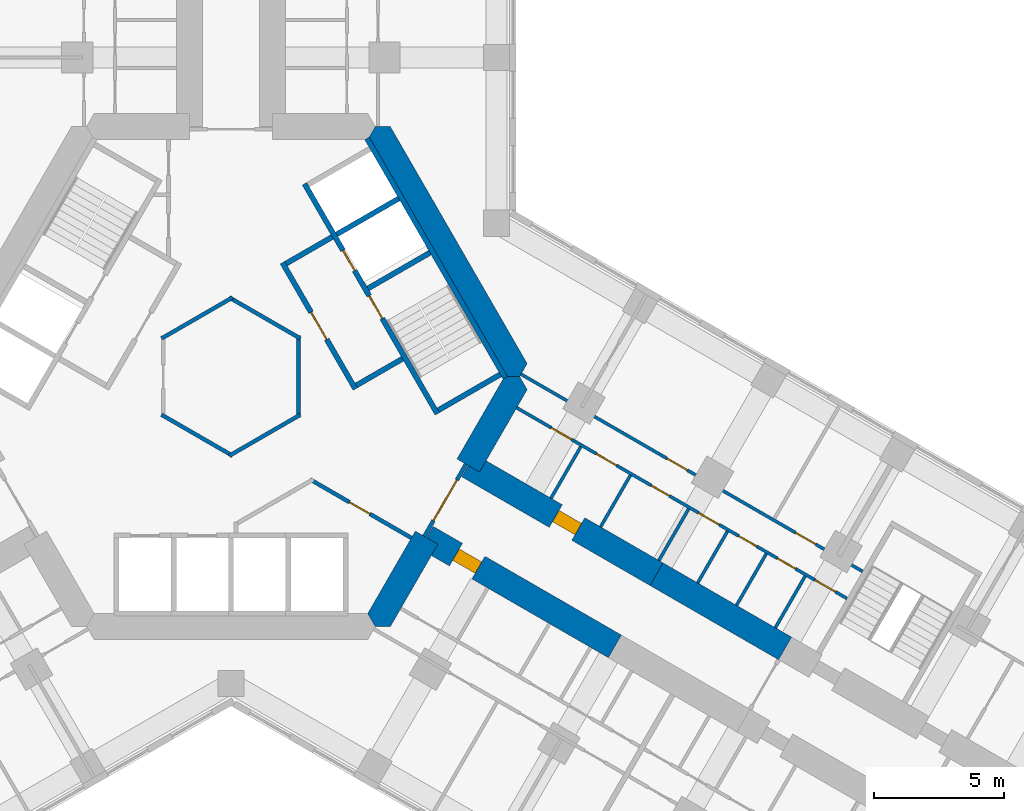
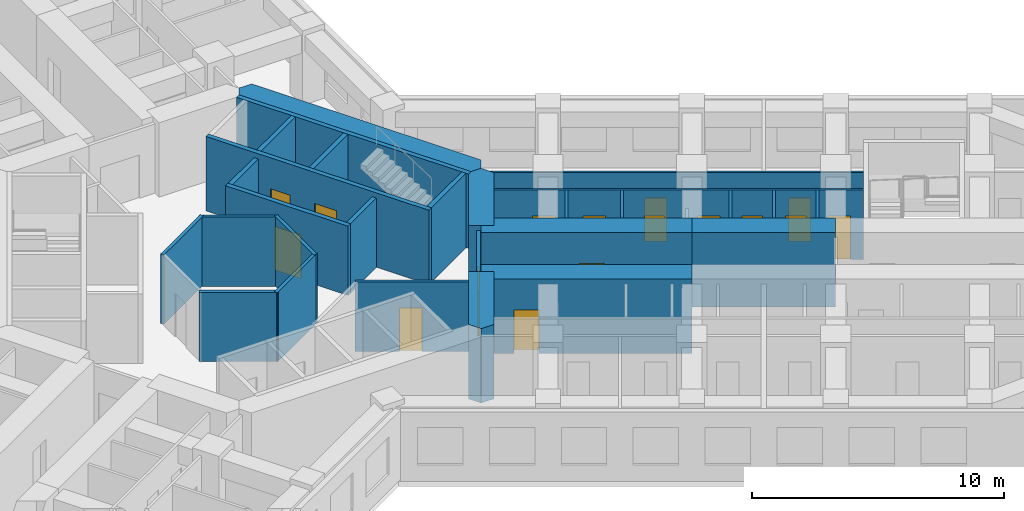
# One storey, part 15 of 21: 29 walls, 16 doors, 16 openings.
"""IFC4 building model written with IfcOpenShell, lengths in metres."""

from ifc_helpers import new_model, si_unit, direction, frame, frame_2d, origin, place, context, subcontext, project, spatial, polyline, rectangle, outline, extrude, material, layer, layer_set, type_object, element, fill, save


model = new_model("IFC4")

# Units and contexts
model_context = context("Model", 3, precision=1e-05, world=origin(), true_north=direction((0.0, 1.0)))
body_context = subcontext(model_context, "Body", "Model", "MODEL_VIEW")
ifc_project = project(units=[si_unit("LENGTHUNIT", "METRE"), si_unit("AREAUNIT", "SQUARE_METRE"), si_unit("VOLUMEUNIT", "CUBIC_METRE"), si_unit("PLANEANGLEUNIT", "RADIAN"), si_unit("MASSUNIT", "GRAM", prefix="KILO")], contexts=[model_context])

# Site, building, storey
site_placement = place(None, origin())
site = spatial("IfcSite", under=ifc_project, at=site_placement, CompositionType="ELEMENT")
building_placement = place(site_placement, origin())
building = spatial("IfcBuilding", under=site, at=building_placement, Name="Kosmar Iwan School Tower", CompositionType="ELEMENT")
storey_placement = place(building_placement, frame((0.0, 0.0, 50.199951171875)))
storey = spatial("IfcBuildingStorey", under=building, at=storey_placement, Name="L11", CompositionType="ELEMENT", Elevation=50.199951171875)

# Walls
ifc_material_1 = material(Name="Gypsum board on steel studs, fire-rated", Category="steel")
ifc_layer_1 = layer(ifc_material_1, 0.14990234375)
ifc_layer_set_1 = layer_set([ifc_layer_1], Name="Core room partition 150")
wall_type_1 = type_object("IfcWallType", Name="Core room partition 150", PredefinedType="PARTITIONING", material=ifc_layer_set_1)
for number, where, z_axis, x_axis, name in (
    (1, (2.6650390625, -1.463623046875, 0.0), (0.0, 0.0, 1.0), (-0.866023080072, -0.500004024767, 0.0), "Core room partition L11-CW4"),
    (2, (0.06494140625, -3.039794921875, 0.0), (0.0, 0.0, 1.0), (-0.866023080072, 0.500004024767, 0.0), "Core room partition L11-CW5"),
    (3, (-2.6650390625, 1.463623046875, 0.0), (0.0, 0.0, 1.0), (0.866023080072, 0.500004024767, 0.0), "Core room partition L11-CW7"),
    (4, (-0.06494140625, 3.039794921875, 0.0), (0.0, 0.0, 1.0), (0.866023080072, -0.500004024767, 0.0), "Core room partition L11-CW8"),
    (5, (2.60009765625, 1.576171875, 0.0), (0.0, 0.0, 1.0), (0.0, -1.0, 0.0), "Core room partition L11-CW9"),
):
    element("IfcWall", number, at=place(storey_placement, frame(where, z_axis=z_axis, x_axis=x_axis)), inside=storey, type_object=wall_type_1, Name=name, PredefinedType="PARTITIONING", context=body_context, shape_type="SweptSolid", body=[
        extrude(rectangle(XDim=3.15234375, YDim=0.14990234375, at=frame_2d((1.576171875, 0.0))), origin(), (0.0, 0.0, 1.0), 3.35009765625),
    ])

# Wall, opening, door
wall_1_placement = place(storey_placement, frame((3.03515625, -3.9462890625, 0.0), z_axis=(0.0, 0.0, 1.0), x_axis=(0.866020192391, -0.500009026289, 0.0)))
wall_1 = element("IfcWall", 6, at=wall_1_placement, inside=storey, type_object=wall_type_1, Name="Core room partition L11-CW12", PredefinedType="PARTITIONING", context=body_context, shape_type="SweptSolid", body=[
    extrude(rectangle(XDim=4.49853515625, YDim=0.14990234375, at=frame_2d((2.249267578125, 0.0))), origin(), (0.0, 0.0, 1.0), 3.35009765625),
])
opening_1_placement = place(wall_1_placement, frame((1.757080078125, 0.0, 0.0)))
opening_1 = element("IfcOpeningElement", 7, at=opening_1_placement, cuts=wall_1, Name="Opening D14", PredefinedType="OPENING", context=body_context, shape_type="SweptSolid", body=[
    extrude(rectangle(XDim=0.89990234375, YDim=2.10009765625, at=frame_2d((0.449951171875, 1.050048828125))), frame((0.0, 0.0869140625, 0.0), z_axis=(0.0, -1.0, 0.0), x_axis=(1.0, 0.0, 0.0)), (0.0, 0.0, 1.0), 0.173828125),
])
ifc_material_2 = material(Name="Timber fire door in steel frame", Category="steel")
door_type_1 = type_object("IfcDoorType", Name="Core room door 900x2100", OperationType="SINGLE_SWING_LEFT", PredefinedType="DOOR", material=ifc_material_2)
door_1_placement = place(opening_1_placement, origin())
door_1 = element("IfcDoor", 8, at=door_1_placement, inside=storey, type_object=door_type_1, Name="Staff WC door L11 4", OperationType="SINGLE_SWING_LEFT", OverallHeight=2.10009765625, OverallWidth=0.89990234375, PredefinedType="DOOR", context=body_context, shape_type="SweptSolid", body=[
    extrude(rectangle(XDim=0.89990234375, YDim=2.10009765625, at=frame_2d((0.449951171875, 1.050048828125))), frame((0.0, 0.02490234375, 0.0), z_axis=(0.0, -1.0, 0.0), x_axis=(1.0, 0.0, 0.0)), (0.0, 0.0, 1.0), 0.050048828125),
])
fill(opening_1, door_1)

# Walls
ifc_material_3 = material(Name="Concrete C50/60", Category="concrete")
ifc_layer_2 = layer(ifc_material_3, 1.0)
ifc_layer_set_2 = layer_set([ifc_layer_2], Name="Core wall 1000")
wall_type_2 = type_object("IfcWallType", Name="Core wall 1000", PredefinedType="SHEAR", material=ifc_layer_set_2)
wall_2_placement = place(storey_placement, origin())
element("IfcWall", 9, at=wall_2_placement, inside=storey, type_object=wall_type_2, Name="Core wall F030", PredefinedType="SHEAR", context=body_context, shape_type="SweptSolid", body=[
    extrude(outline(polyline([(10.5078125, 0.0), (11.085205078125, 0.0), (11.373779296875, 0.5), (6.119873046875, 9.60009765625), (5.54248046875, 9.60009765625), (5.25390625, 9.10009765625), (10.5078125, 0.0)])), origin(), (0.0, 0.0, 1.0), 3.60009765625),
])
wall_3_placement = place(storey_placement, origin())
element("IfcWall", 10, at=wall_3_placement, inside=storey, type_object=wall_type_2, Name="Core wall F330a", PredefinedType="SHEAR", context=body_context, shape_type="SweptSolid", body=[
    extrude(outline(polyline([(5.54248046875, -9.60009765625), (6.119873046875, -9.60009765625), (7.94677734375, -6.435546875), (7.080810546875, -5.935546875), (5.25390625, -9.10009765625), (5.54248046875, -9.60009765625)])), origin(), (0.0, 0.0, 1.0), 3.60009765625),
])
wall_4_placement = place(storey_placement, origin())
element("IfcWall", 11, at=wall_4_placement, inside=storey, type_object=wall_type_2, Name="Core wall F330b", PredefinedType="SHEAR", context=body_context, shape_type="SweptSolid", body=[
    extrude(outline(polyline([(9.546875, -3.664306640625), (11.373779296875, -0.5), (11.085205078125, 0.0), (10.5078125, 0.0), (8.680908203125, -3.164306640625), (9.546875, -3.664306640625)])), origin(), (0.0, 0.0, 1.0), 3.60009765625),
])

# Wall, opening, door
ifc_material_4 = material(Name="Concrete C50/60", Category="concrete")
ifc_layer_3 = layer(ifc_material_4, 1.0)
ifc_layer_set_3 = layer_set([ifc_layer_3], Name="Corridor buttress wall 1000")
wall_type_3 = type_object("IfcWallType", Name="Corridor buttress wall 1000", PredefinedType="SHEAR", material=ifc_layer_set_3)
wall_5_placement = place(storey_placement, frame((9.11376953125, -3.414306640625, 0.0), z_axis=(0.0, 0.0, 1.0), x_axis=(0.866026859388, -0.499997478812, 0.0)))
wall_5 = element("IfcWall", 12, at=wall_5_placement, inside=storey, type_object=wall_type_3, Name="Corridor wall CL", PredefinedType="SHEAR", context=body_context, shape_type="SweptSolid", body=[
    extrude(rectangle(XDim=8.35009765625, YDim=1.0, at=frame_2d((4.175048828125, 0.0))), origin(), (0.0, 0.0, 1.0), 3.60009765625),
])
opening_2_placement = place(wall_5_placement, frame((3.8798828125, 0.0, 0.0)))
opening_2 = element("IfcOpeningElement", 13, at=opening_2_placement, cuts=wall_5, Name="Opening D1", PredefinedType="OPENING", context=body_context, shape_type="SweptSolid", body=[
    extrude(rectangle(XDim=1.0, YDim=2.10009765625, at=frame_2d((0.5, 1.050048828125))), frame((0.0, 0.511962890625, 0.0), z_axis=(0.0, -1.0, 0.0), x_axis=(1.0, 0.0, 0.0)), (0.0, 0.0, 1.0), 1.02392578125),
])
ifc_material_5 = material(Name="Timber fire door in steel frame", Category="steel")
door_type_2 = type_object("IfcDoorType", Name="Flat entrance door 1000x2100", OperationType="SINGLE_SWING_LEFT", PredefinedType="DOOR", material=ifc_material_5)
door_2_placement = place(opening_2_placement, origin())
door_2 = element("IfcDoor", 14, at=door_2_placement, inside=storey, type_object=door_type_2, Name="Flat L11-CL1 entrance door", OperationType="SINGLE_SWING_LEFT", OverallHeight=2.10009765625, OverallWidth=1.0, PredefinedType="DOOR", context=body_context, shape_type="SweptSolid", body=[
    extrude(rectangle(XDim=1.0, YDim=2.10009765625, at=frame_2d((0.5, 1.050048828125))), frame((0.0, 0.25, 0.0), z_axis=(0.0, -1.0, 0.0), x_axis=(1.0, 0.0, 0.0)), (0.0, 0.0, 1.0), 0.5),
])
fill(opening_2, door_2)

# Wall
wall_6_placement = place(storey_placement, frame((16.34521484375, -7.58935546875, 0.0), z_axis=(0.0, 0.0, 1.0), x_axis=(0.866015111908, -0.50001782563, 0.0)))
element("IfcWall", 15, at=wall_6_placement, inside=storey, type_object=wall_type_3, Name="Corridor wall CL bay 2", PredefinedType="SHEAR", context=body_context, shape_type="SweptSolid", body=[
    extrude(rectangle(XDim=5.699951171875, YDim=1.0, at=frame_2d((2.85009765625, 0.0))), origin(), (0.0, 0.0, 1.0), 3.60009765625),
])

# Wall, opening, door
wall_7_placement = place(storey_placement, frame((7.513916015625, -6.185546875, 0.0), z_axis=(0.0, 0.0, 1.0), x_axis=(0.866019549707, -0.500010139422, 0.0)))
wall_7 = element("IfcWall", 16, at=wall_7_placement, inside=storey, type_object=wall_type_3, Name="Corridor wall CR", PredefinedType="SHEAR", context=body_context, shape_type="SweptSolid", body=[
    extrude(rectangle(XDim=8.349853515625, YDim=1.0, at=frame_2d((4.1748046875, 0.0))), origin(), (0.0, 0.0, 1.0), 3.60009765625),
])
opening_3_placement = place(wall_7_placement, frame((1.300048828125, 0.0, 0.0)))
opening_3 = element("IfcOpeningElement", 17, at=opening_3_placement, cuts=wall_7, Name="Opening D1", PredefinedType="OPENING", context=body_context, shape_type="SweptSolid", body=[
    extrude(rectangle(XDim=1.0, YDim=2.10009765625, at=frame_2d((0.5, 1.050048828125))), frame((0.0, 0.511962890625, 0.0), z_axis=(0.0, -1.0, 0.0), x_axis=(1.0, 0.0, 0.0)), (0.0, 0.0, 1.0), 1.02392578125),
])
door_3_placement = place(opening_3_placement, origin())
door_3 = element("IfcDoor", 18, at=door_3_placement, inside=storey, type_object=door_type_2, Name="Flat L11-CR1 entrance door", OperationType="SINGLE_SWING_LEFT", OverallHeight=2.10009765625, OverallWidth=1.0, PredefinedType="DOOR", context=body_context, shape_type="SweptSolid", body=[
    extrude(rectangle(XDim=1.0, YDim=2.10009765625, at=frame_2d((0.5, 1.050048828125))), frame((0.0, 0.25, 0.0), z_axis=(0.0, -1.0, 0.0), x_axis=(1.0, 0.0, 0.0)), (0.0, 0.0, 1.0), 0.5),
])
fill(opening_3, door_3)

ifc_material_6 = material(Name="Steel framed glazed screen", Category="steel")
ifc_layer_4 = layer(ifc_material_6, 0.14990234375)
ifc_layer_set_4 = layer_set([ifc_layer_4], Name="Corridor screen wall 150")
wall_type_4 = type_object("IfcWallType", Name="Corridor screen wall 150", PredefinedType="PARTITIONING", material=ifc_layer_set_4)
wall_8_placement = place(storey_placement, frame((7.42724609375, -6.1357421875, 0.0), z_axis=(0.0, 0.0, 1.0), x_axis=(0.499995408039, 0.866028054938, 0.0)))
wall_8 = element("IfcWall", 19, at=wall_8_placement, inside=storey, type_object=wall_type_4, Name="Corridor screen C L11", PredefinedType="PARTITIONING", context=body_context, shape_type="SweptSolid", body=[
    extrude(rectangle(XDim=3.2001953125, YDim=0.14990234375, at=frame_2d((1.60009765625, 0.0))), origin(), (0.0, 0.0, 1.0), 3.35009765625),
])
opening_4_placement = place(wall_8_placement, frame((0.699951171875, 0.0, 0.0)))
opening_4 = element("IfcOpeningElement", 20, at=opening_4_placement, cuts=wall_8, Name="Opening D9", PredefinedType="OPENING", context=body_context, shape_type="SweptSolid", body=[
    extrude(rectangle(XDim=1.800048828125, YDim=2.10009765625, at=frame_2d((0.89990234375, 1.050048828125))), frame((0.0, 0.0869140625, 0.0), z_axis=(0.0, -1.0, 0.0), x_axis=(1.0, 0.0, 0.0)), (0.0, 0.0, 1.0), 0.173828125),
])
ifc_material_7 = material(Name="Steel framed glazed smoke door", Category="steel")
door_type_3 = type_object("IfcDoorType", Name="Corridor smoke door pair 1800x2100", OperationType="DOUBLE_DOOR_DOUBLE_SWING", PredefinedType="DOOR", material=ifc_material_7)
door_4_placement = place(opening_4_placement, origin())
door_4 = element("IfcDoor", 21, at=door_4_placement, inside=storey, type_object=door_type_3, Name="Corridor doors C L11", OperationType="DOUBLE_DOOR_DOUBLE_SWING", OverallHeight=2.10009765625, OverallWidth=1.800048828125, PredefinedType="DOOR", context=body_context, shape_type="SweptSolid", body=[
    extrude(rectangle(XDim=1.800048828125, YDim=2.10009765625, at=frame_2d((0.89990234375, 1.050048828125))), frame((0.0, 0.02490234375, 0.0), z_axis=(0.0, -1.0, 0.0), x_axis=(1.0, 0.0, 0.0)), (0.0, 0.0, 1.0), 0.050048828125),
])
fill(opening_4, door_4)

# Wall, openings, doors
ifc_material_8 = material(Name="Gypsum board on steel studs", Category="steel")
ifc_layer_5 = layer(ifc_material_8, 0.1201171875)
ifc_layer_set_5 = layer_set([ifc_layer_5], Name="Dwelling partition 120")
wall_type_5 = type_object("IfcWallType", Name="Dwelling partition 120", PredefinedType="PARTITIONING", material=ifc_layer_set_5)
wall_9_placement = place(storey_placement, frame((10.971923828125, -1.1962890625, 0.0), z_axis=(0.0, 0.0, 1.0), x_axis=(0.866026568746, -0.499997982221, 0.0)))
wall_9 = element("IfcWall", 22, at=wall_9_placement, inside=storey, type_object=wall_type_5, Name="Partition L11-CL1-W1", PredefinedType="PARTITIONING", context=body_context, shape_type="SweptSolid", body=[
    extrude(rectangle(XDim=14.64990234375, YDim=0.1201171875, at=frame_2d((7.324951171875, 0.0))), origin(), (0.0, 0.0, 1.0), 3.35009765625),
])
opening_5_placement = place(wall_9_placement, frame((1.5400390625, 0.0, 0.0)))
opening_5 = element("IfcOpeningElement", 23, at=opening_5_placement, cuts=wall_9, Name="Opening D2", PredefinedType="OPENING", context=body_context, shape_type="SweptSolid", body=[
    extrude(rectangle(XDim=0.89990234375, YDim=2.10009765625, at=frame_2d((0.449951171875, 1.050048828125))), frame((0.0, 0.072021484375, 0.0), z_axis=(0.0, -1.0, 0.0), x_axis=(1.0, 0.0, 0.0)), (0.0, 0.0, 1.0), 0.14404296875),
])
opening_6_placement = place(wall_9_placement, frame((3.530029296875, 0.0, 0.0)))
opening_6 = element("IfcOpeningElement", 24, at=opening_6_placement, cuts=wall_9, Name="Opening D2", PredefinedType="OPENING", context=body_context, shape_type="SweptSolid", body=[
    extrude(rectangle(XDim=0.89990234375, YDim=2.10009765625, at=frame_2d((0.449951171875, 1.050048828125))), frame((0.0, 0.072021484375, 0.0), z_axis=(0.0, -1.0, 0.0), x_axis=(1.0, 0.0, 0.0)), (0.0, 0.0, 1.0), 0.14404296875),
])
opening_7_placement = place(wall_9_placement, frame((5.971435546875, 0.0, 0.0)))
opening_7 = element("IfcOpeningElement", 25, at=opening_7_placement, cuts=wall_9, Name="Opening D3", PredefinedType="OPENING", context=body_context, shape_type="SweptSolid", body=[
    extrude(rectangle(XDim=0.800048828125, YDim=2.10009765625, at=frame_2d((0.39990234375, 1.050048828125))), frame((0.0, 0.072021484375, 0.0), z_axis=(0.0, -1.0, 0.0), x_axis=(1.0, 0.0, 0.0)), (0.0, 0.0, 1.0), 0.14404296875),
])
opening_8_placement = place(wall_9_placement, frame((8.07373046875, 0.0, 0.0)))
opening_8 = element("IfcOpeningElement", 26, at=opening_8_placement, cuts=wall_9, Name="Opening D2", PredefinedType="OPENING", context=body_context, shape_type="SweptSolid", body=[
    extrude(rectangle(XDim=0.89990234375, YDim=2.10009765625, at=frame_2d((0.449951171875, 1.050048828125))), frame((0.0, 0.072021484375, 0.0), z_axis=(0.0, -1.0, 0.0), x_axis=(1.0, 0.0, 0.0)), (0.0, 0.0, 1.0), 0.14404296875),
])
opening_9_placement = place(wall_9_placement, frame((9.845458984375, 0.0, 0.0)))
opening_9 = element("IfcOpeningElement", 27, at=opening_9_placement, cuts=wall_9, Name="Opening D3", PredefinedType="OPENING", context=body_context, shape_type="SweptSolid", body=[
    extrude(rectangle(XDim=0.800048828125, YDim=2.10009765625, at=frame_2d((0.39990234375, 1.050048828125))), frame((0.0, 0.072021484375, 0.0), z_axis=(0.0, -1.0, 0.0), x_axis=(1.0, 0.0, 0.0)), (0.0, 0.0, 1.0), 0.14404296875),
])
opening_10_placement = place(wall_9_placement, frame((11.5673828125, 0.0, 0.0)))
opening_10 = element("IfcOpeningElement", 28, at=opening_10_placement, cuts=wall_9, Name="Opening D3", PredefinedType="OPENING", context=body_context, shape_type="SweptSolid", body=[
    extrude(rectangle(XDim=0.800048828125, YDim=2.10009765625, at=frame_2d((0.39990234375, 1.050048828125))), frame((0.0, 0.072021484375, 0.0), z_axis=(0.0, -1.0, 0.0), x_axis=(1.0, 0.0, 0.0)), (0.0, 0.0, 1.0), 0.14404296875),
])
opening_11_placement = place(wall_9_placement, frame((13.239013671875, 0.0, 0.0)))
opening_11 = element("IfcOpeningElement", 29, at=opening_11_placement, cuts=wall_9, Name="Opening D2", PredefinedType="OPENING", context=body_context, shape_type="SweptSolid", body=[
    extrude(rectangle(XDim=0.89990234375, YDim=2.10009765625, at=frame_2d((0.449951171875, 1.050048828125))), frame((0.0, 0.072021484375, 0.0), z_axis=(0.0, -1.0, 0.0), x_axis=(1.0, 0.0, 0.0)), (0.0, 0.0, 1.0), 0.14404296875),
])
ifc_material_9 = material(Name="Timber door in timber frame", Category="wood")
door_type_4 = type_object("IfcDoorType", Name="Internal door 900x2100", OperationType="SINGLE_SWING_LEFT", PredefinedType="DOOR", material=ifc_material_9)
door_5_placement = place(opening_5_placement, frame((0.89990234375, 0.0, 0.0), z_axis=(0.0, 0.0, 1.0), x_axis=(-1.0, 0.0, 0.0)))
door_5 = element("IfcDoor", 30, at=door_5_placement, inside=storey, type_object=door_type_4, Name="Utility room door L11-CL1-S1", OperationType="SINGLE_SWING_RIGHT", OverallHeight=2.10009765625, OverallWidth=0.89990234375, PredefinedType="DOOR", context=body_context, shape_type="SweptSolid", body=[
    extrude(rectangle(XDim=0.89990234375, YDim=2.10009765625, at=frame_2d((0.449951171875, 1.050048828125))), frame((0.0, 0.02490234375, 0.0), z_axis=(0.0, -1.0, 0.0), x_axis=(1.0, 0.0, 0.0)), (0.0, 0.0, 1.0), 0.050048828125),
])
fill(opening_5, door_5)
door_6_placement = place(opening_6_placement, origin())
door_6 = element("IfcDoor", 31, at=door_6_placement, inside=storey, type_object=door_type_4, Name="Entrance hall door L11-CL1-S2", OperationType="SINGLE_SWING_LEFT", OverallHeight=2.10009765625, OverallWidth=0.89990234375, PredefinedType="DOOR", context=body_context, shape_type="SweptSolid", body=[
    extrude(rectangle(XDim=0.89990234375, YDim=2.10009765625, at=frame_2d((0.449951171875, 1.050048828125))), frame((0.0, 0.02490234375, 0.0), z_axis=(0.0, -1.0, 0.0), x_axis=(1.0, 0.0, 0.0)), (0.0, 0.0, 1.0), 0.050048828125),
])
fill(opening_6, door_6)
door_7_placement = place(opening_8_placement, origin())
door_7 = element("IfcDoor", 32, at=door_7_placement, inside=storey, type_object=door_type_4, Name="Pantry door L11-CL1-S4", OperationType="SINGLE_SWING_RIGHT", OverallHeight=2.10009765625, OverallWidth=0.89990234375, PredefinedType="DOOR", context=body_context, shape_type="SweptSolid", body=[
    extrude(rectangle(XDim=0.89990234375, YDim=2.10009765625, at=frame_2d((0.449951171875, 1.050048828125))), frame((0.0, 0.02490234375, 0.0), z_axis=(0.0, -1.0, 0.0), x_axis=(1.0, 0.0, 0.0)), (0.0, 0.0, 1.0), 0.050048828125),
])
fill(opening_8, door_7)
door_8_placement = place(opening_11_placement, frame((0.89990234375, 0.0, 0.0), z_axis=(0.0, 0.0, 1.0), x_axis=(-1.0, 0.0, 0.0)))
door_8 = element("IfcDoor", 33, at=door_8_placement, inside=storey, type_object=door_type_4, Name="Dressing room door L11-CL1-S7", OperationType="SINGLE_SWING_LEFT", OverallHeight=2.10009765625, OverallWidth=0.89990234375, PredefinedType="DOOR", context=body_context, shape_type="SweptSolid", body=[
    extrude(rectangle(XDim=0.89990234375, YDim=2.10009765625, at=frame_2d((0.449951171875, 1.050048828125))), frame((0.0, 0.02490234375, 0.0), z_axis=(0.0, -1.0, 0.0), x_axis=(1.0, 0.0, 0.0)), (0.0, 0.0, 1.0), 0.050048828125),
])
fill(opening_11, door_8)
ifc_material_10 = material(Name="Timber door in timber frame", Category="wood")
door_type_5 = type_object("IfcDoorType", Name="Sanitary room door 800x2100", OperationType="SINGLE_SWING_LEFT", PredefinedType="DOOR", material=ifc_material_10)
door_9_placement = place(opening_7_placement, origin())
door_9 = element("IfcDoor", 34, at=door_9_placement, inside=storey, type_object=door_type_5, Name="Bathroom door L11-CL1-S3", OperationType="SINGLE_SWING_LEFT", OverallHeight=2.10009765625, OverallWidth=0.800048828125, PredefinedType="DOOR", context=body_context, shape_type="SweptSolid", body=[
    extrude(rectangle(XDim=0.800048828125, YDim=2.10009765625, at=frame_2d((0.39990234375, 1.050048828125))), frame((0.0, 0.02490234375, 0.0), z_axis=(0.0, -1.0, 0.0), x_axis=(1.0, 0.0, 0.0)), (0.0, 0.0, 1.0), 0.050048828125),
])
fill(opening_7, door_9)
door_10_placement = place(opening_9_placement, origin())
door_10 = element("IfcDoor", 35, at=door_10_placement, inside=storey, type_object=door_type_5, Name="WC door L11-CL1-S5", OperationType="SINGLE_SWING_RIGHT", OverallHeight=2.10009765625, OverallWidth=0.800048828125, PredefinedType="DOOR", context=body_context, shape_type="SweptSolid", body=[
    extrude(rectangle(XDim=0.800048828125, YDim=2.10009765625, at=frame_2d((0.39990234375, 1.050048828125))), frame((0.0, 0.02490234375, 0.0), z_axis=(0.0, -1.0, 0.0), x_axis=(1.0, 0.0, 0.0)), (0.0, 0.0, 1.0), 0.050048828125),
])
fill(opening_9, door_10)
door_11_placement = place(opening_10_placement, origin())
door_11 = element("IfcDoor", 36, at=door_11_placement, inside=storey, type_object=door_type_5, Name="Store door L11-CL1-S6", OperationType="SINGLE_SWING_RIGHT", OverallHeight=2.10009765625, OverallWidth=0.800048828125, PredefinedType="DOOR", context=body_context, shape_type="SweptSolid", body=[
    extrude(rectangle(XDim=0.800048828125, YDim=2.10009765625, at=frame_2d((0.39990234375, 1.050048828125))), frame((0.0, 0.02490234375, 0.0), z_axis=(0.0, -1.0, 0.0), x_axis=(1.0, 0.0, 0.0)), (0.0, 0.0, 1.0), 0.050048828125),
])
fill(opening_10, door_11)

wall_10_placement = place(storey_placement, frame((11.138916015625, 0.093017578125, 0.0), z_axis=(0.0, 0.0, 1.0), x_axis=(0.866024032363, -0.500002375365, 0.0)))
wall_10 = element("IfcWall", 37, at=wall_10_placement, inside=storey, type_object=wall_type_5, Name="Partition L11-CL1-W2", PredefinedType="PARTITIONING", context=body_context, shape_type="SweptSolid", body=[
    extrude(rectangle(XDim=15.14990234375, YDim=0.1201171875, at=frame_2d((7.574951171875, 0.0))), origin(), (0.0, 0.0, 1.0), 3.35009765625),
])
opening_12_placement = place(wall_10_placement, frame((6.47509765625, 0.0, 0.0)))
opening_12 = element("IfcOpeningElement", 38, at=opening_12_placement, cuts=wall_10, Name="Opening D2", PredefinedType="OPENING", context=body_context, shape_type="SweptSolid", body=[
    extrude(rectangle(XDim=0.89990234375, YDim=2.10009765625, at=frame_2d((0.449951171875, 1.050048828125))), frame((0.0, 0.072021484375, 0.0), z_axis=(0.0, -1.0, 0.0), x_axis=(1.0, 0.0, 0.0)), (0.0, 0.0, 1.0), 0.14404296875),
])
opening_13_placement = place(wall_10_placement, frame((12.175048828125, 0.0, 0.0)))
opening_13 = element("IfcOpeningElement", 39, at=opening_13_placement, cuts=wall_10, Name="Opening D2", PredefinedType="OPENING", context=body_context, shape_type="SweptSolid", body=[
    extrude(rectangle(XDim=0.89990234375, YDim=2.10009765625, at=frame_2d((0.449951171875, 1.050048828125))), frame((0.0, 0.072021484375, 0.0), z_axis=(0.0, -1.0, 0.0), x_axis=(1.0, 0.0, 0.0)), (0.0, 0.0, 1.0), 0.14404296875),
])
door_12_placement = place(opening_12_placement, origin())
door_12 = element("IfcDoor", 40, at=door_12_placement, inside=storey, type_object=door_type_4, Name="Living room door L11-CL1-F2", OperationType="SINGLE_SWING_LEFT", OverallHeight=2.10009765625, OverallWidth=0.89990234375, PredefinedType="DOOR", context=body_context, shape_type="SweptSolid", body=[
    extrude(rectangle(XDim=0.89990234375, YDim=2.10009765625, at=frame_2d((0.449951171875, 1.050048828125))), frame((0.0, 0.02490234375, 0.0), z_axis=(0.0, -1.0, 0.0), x_axis=(1.0, 0.0, 0.0)), (0.0, 0.0, 1.0), 0.050048828125),
])
fill(opening_12, door_12)
door_13_placement = place(opening_13_placement, origin())
door_13 = element("IfcDoor", 41, at=door_13_placement, inside=storey, type_object=door_type_4, Name="Bedroom 1 door L11-CL1-F3", OperationType="SINGLE_SWING_RIGHT", OverallHeight=2.10009765625, OverallWidth=0.89990234375, PredefinedType="DOOR", context=body_context, shape_type="SweptSolid", body=[
    extrude(rectangle(XDim=0.89990234375, YDim=2.10009765625, at=frame_2d((0.449951171875, 1.050048828125))), frame((0.0, 0.02490234375, 0.0), z_axis=(0.0, -1.0, 0.0), x_axis=(1.0, 0.0, 0.0)), (0.0, 0.0, 1.0), 0.050048828125),
])
fill(opening_13, door_13)

# Walls
for number, where, z_axis, x_axis, name in (
    (42, (12.291015625, -4.67138671875, 0.0), (0.0, 0.0, 1.0), (0.500014693593, 0.866016920268, 0.0), "Partition L11-CL1-Y1"),
    (43, (14.1962890625, -5.771240234375, 0.0), (0.0, 0.0, 1.0), (0.500014693593, 0.866016920268, 0.0), "Partition L11-CL1-Y2"),
):
    element("IfcWall", number, at=place(storey_placement, frame(where, z_axis=z_axis, x_axis=x_axis)), inside=storey, type_object=wall_type_5, Name=name, PredefinedType="PARTITIONING", context=body_context, shape_type="SweptSolid", body=[
        extrude(rectangle(XDim=2.2900390625, YDim=0.1201171875, at=frame_2d((1.14501953125, 0.0))), origin(), (0.0, 0.0, 1.0), 3.35009765625),
    ])
wall_11_placement = place(storey_placement, frame((16.432861328125, -7.062744140625, 0.0), z_axis=(0.0, 0.0, 1.0), x_axis=(0.500014693593, 0.866016920268, 0.0)))
element("IfcWall", 44, at=wall_11_placement, inside=storey, type_object=wall_type_5, Name="Partition L11-CL1-Y3", PredefinedType="PARTITIONING", context=body_context, shape_type="SweptSolid", body=[
    extrude(rectangle(XDim=2.2900390625, YDim=0.1201171875, at=frame_2d((1.14501953125, 0.0))), origin(), (0.0, 0.0, 1.0), 2.449951171875),
])
for number, where, z_axis, x_axis, name in (
    (45, (17.924072265625, -7.923583984375, 0.0), (0.0, 0.0, 1.0), (0.500014693593, 0.866016920268, 0.0), "Partition L11-CL1-Y4"),
    (46, (19.415283203125, -8.784423828125, 0.0), (0.0, 0.0, 1.0), (0.500014693593, 0.866016920268, 0.0), "Partition L11-CL1-Y5"),
):
    element("IfcWall", number, at=place(storey_placement, frame(where, z_axis=z_axis, x_axis=x_axis)), inside=storey, type_object=wall_type_5, Name=name, PredefinedType="PARTITIONING", context=body_context, shape_type="SweptSolid", body=[
        extrude(rectangle(XDim=2.2900390625, YDim=0.1201171875, at=frame_2d((1.14501953125, 0.0))), origin(), (0.0, 0.0, 1.0), 3.35009765625),
    ])
wall_12_placement = place(storey_placement, frame((20.906494140625, -9.6455078125, 0.0), z_axis=(0.0, 0.0, 1.0), x_axis=(0.499968531483, 0.866043571379, 0.0)))
element("IfcWall", 47, at=wall_12_placement, inside=storey, type_object=wall_type_5, Name="Partition L11-CL1-Y6", PredefinedType="PARTITIONING", context=body_context, shape_type="SweptSolid", body=[
    extrude(rectangle(XDim=2.290283203125, YDim=0.1201171875, at=frame_2d((1.14501953125, 0.0))), origin(), (0.0, 0.0, 1.0), 3.35009765625),
])

# Wall, opening, door
ifc_material_11 = material(Name="Concrete block masonry", Category="masonry")
ifc_layer_6 = layer(ifc_material_11, 0.199951171875)
ifc_layer_set_6 = layer_set([ifc_layer_6], Name="Fire lobby wall 200")
wall_type_6 = type_object("IfcWallType", Name="Fire lobby wall 200", PredefinedType="PARTITIONING", material=ifc_layer_set_6)
wall_13_placement = place(storey_placement, frame((4.777587890625, -0.474853515625, 0.0), z_axis=(0.0, 0.0, 1.0), x_axis=(-0.500016814911, 0.866015695474, 0.0)))
wall_13 = element("IfcWall", 48, at=wall_13_placement, inside=storey, type_object=wall_type_6, Name="Firefighting lobby wall ST1", PredefinedType="PARTITIONING", context=body_context, shape_type="SweptSolid", body=[
    extrude(rectangle(XDim=5.599853515625, YDim=0.199951171875, at=frame_2d((2.7998046875, 0.0))), origin(), (0.0, 0.0, 1.0), 3.35009765625),
])
opening_14_placement = place(wall_13_placement, frame((2.199951171875, 0.0, 0.0)))
opening_14 = element("IfcOpeningElement", 49, at=opening_14_placement, cuts=wall_13, Name="Opening D7", PredefinedType="OPENING", context=body_context, shape_type="SweptSolid", body=[
    extrude(rectangle(XDim=1.199951171875, YDim=2.10009765625, at=frame_2d((0.60009765625, 1.050048828125))), frame((0.0, 0.112060546875, 0.0), z_axis=(0.0, -1.0, 0.0), x_axis=(1.0, 0.0, 0.0)), (0.0, 0.0, 1.0), 0.223876953125),
])
ifc_material_12 = material(Name="Steel fire door", Category="steel")
door_type_6 = type_object("IfcDoorType", Name="Fire lobby door 1200x2100", OperationType="SINGLE_SWING_LEFT", PredefinedType="DOOR", material=ifc_material_12)
door_14_placement = place(opening_14_placement, frame((1.199951171875, 0.0, 0.0), z_axis=(0.0, 0.0, 1.0), x_axis=(-1.0, 0.0, 0.0)))
door_14 = element("IfcDoor", 50, at=door_14_placement, inside=storey, type_object=door_type_6, Name="Firefighting lobby door ST1 L11", OperationType="SINGLE_SWING_LEFT", OverallHeight=2.10009765625, OverallWidth=1.199951171875, PredefinedType="DOOR", context=body_context, shape_type="SweptSolid", body=[
    extrude(rectangle(XDim=1.199951171875, YDim=2.10009765625, at=frame_2d((0.60009765625, 1.050048828125))), frame((0.0, 0.02490234375, 0.0), z_axis=(0.0, -1.0, 0.0), x_axis=(1.0, 0.0, 0.0)), (0.0, 0.0, 1.0), 0.050048828125),
])
fill(opening_14, door_14)

# Walls
wall_14_placement = place(storey_placement, frame((4.814208984375, -0.33837890625, 0.0), z_axis=(0.0, 0.0, 1.0), x_axis=(0.865969381856, 0.500097020274, 0.0)))
element("IfcWall", 51, at=wall_14_placement, inside=storey, type_object=wall_type_6, Name="Firefighting lobby wall ST1", PredefinedType="PARTITIONING", context=body_context, shape_type="SweptSolid", body=[
    extrude(rectangle(XDim=2.0498046875, YDim=0.199951171875, at=frame_2d((1.02490234375, 0.0))), origin(), (0.0, 0.0, 1.0), 3.35009765625),
])
wall_15_placement = place(storey_placement, frame((2.114013671875, 4.33837890625, 0.0), z_axis=(0.0, 0.0, 1.0), x_axis=(0.866050731258, 0.499956128963, 0.0)))
element("IfcWall", 52, at=wall_15_placement, inside=storey, type_object=wall_type_6, Name="Firefighting lobby wall ST1", PredefinedType="PARTITIONING", context=body_context, shape_type="SweptSolid", body=[
    extrude(rectangle(XDim=2.050048828125, YDim=0.199951171875, at=frame_2d((1.02490234375, 0.0))), origin(), (0.0, 0.0, 1.0), 3.35009765625),
])

# Wall, openings, doors
ifc_material_13 = material(Name="Concrete C50/60", Category="concrete")
ifc_layer_7 = layer(ifc_material_13, 0.199951171875)
ifc_layer_set_7 = layer_set([ifc_layer_7], Name="Lift shaft wall 200")
wall_type_7 = type_object("IfcWallType", Name="Lift shaft wall 200", PredefinedType="SHEAR", material=ifc_layer_set_7)
wall_16_placement = place(storey_placement, frame((7.926025390625, -1.42822265625, 0.0), z_axis=(0.0, 0.0, 1.0), x_axis=(-0.499998023675, 0.866026544813, 0.0)))
wall_16 = element("IfcWall", 53, at=wall_16_placement, inside=storey, type_object=wall_type_7, Name="Lift and stair front wall AC", PredefinedType="SHEAR", context=body_context, shape_type="SweptSolid", body=[
    extrude(rectangle(XDim=10.19970703125, YDim=0.199951171875, at=frame_2d((5.099853515625, 0.0))), origin(), (0.0, 0.0, 1.0), 3.60009765625),
])
opening_15_placement = place(wall_16_placement, frame((6.35009765625, 0.0, 0.0)))
opening_15 = element("IfcOpeningElement", 54, at=opening_15_placement, cuts=wall_16, Name="Opening LD2", PredefinedType="OPENING", context=body_context, shape_type="SweptSolid", body=[
    extrude(rectangle(XDim=0.89990234375, YDim=2.10009765625, at=frame_2d((0.449951171875, 1.050048828125))), frame((0.0, 0.112060546875, 0.0), z_axis=(0.0, -1.0, 0.0), x_axis=(1.0, 0.0, 0.0)), (0.0, 0.0, 1.0), 0.223876953125),
])
opening_16_placement = place(wall_16_placement, frame((4.22998046875, 0.0, 0.0)))
opening_16 = element("IfcOpeningElement", 55, at=opening_16_placement, cuts=wall_16, Name="Opening D6", PredefinedType="OPENING", context=body_context, shape_type="SweptSolid", body=[
    extrude(rectangle(XDim=1.0, YDim=2.10009765625, at=frame_2d((0.5, 1.050048828125))), frame((0.0, 0.112060546875, 0.0), z_axis=(0.0, -1.0, 0.0), x_axis=(1.0, 0.0, 0.0)), (0.0, 0.0, 1.0), 0.223876953125),
])
ifc_material_14 = material(Name="Stainless steel sliding lift door", Category="steel")
door_type_7 = type_object("IfcDoorType", Name="Firefighting lift landing door 900x2100", OperationType="SLIDING_TO_LEFT", PredefinedType="DOOR", material=ifc_material_14)
door_15_placement = place(opening_15_placement, origin())
door_15 = element("IfcDoor", 56, at=door_15_placement, inside=storey, type_object=door_type_7, Name="Lift FF1 landing door L11", OperationType="SLIDING_TO_LEFT", OverallHeight=2.10009765625, OverallWidth=0.89990234375, PredefinedType="DOOR", context=body_context, shape_type="SweptSolid", body=[
    extrude(rectangle(XDim=0.89990234375, YDim=2.10009765625, at=frame_2d((0.449951171875, 1.050048828125))), frame((0.0, 0.02490234375, 0.0), z_axis=(0.0, -1.0, 0.0), x_axis=(1.0, 0.0, 0.0)), (0.0, 0.0, 1.0), 0.050048828125),
])
fill(opening_15, door_15)
ifc_material_15 = material(Name="Steel fire door", Category="steel")
door_type_8 = type_object("IfcDoorType", Name="Stair door 1000x2100", OperationType="SINGLE_SWING_LEFT", PredefinedType="DOOR", material=ifc_material_15)
door_16_placement = place(opening_16_placement, origin())
door_16 = element("IfcDoor", 57, at=door_16_placement, inside=storey, type_object=door_type_8, Name="Stair ST1 door L11", OperationType="SINGLE_SWING_LEFT", OverallHeight=2.10009765625, OverallWidth=1.0, PredefinedType="DOOR", context=body_context, shape_type="SweptSolid", body=[
    extrude(rectangle(XDim=1.0, YDim=2.10009765625, at=frame_2d((0.5, 1.050048828125))), frame((0.0, 0.02490234375, 0.0), z_axis=(0.0, -1.0, 0.0), x_axis=(1.0, 0.0, 0.0)), (0.0, 0.0, 1.0), 0.050048828125),
])
fill(opening_16, door_16)

# Walls
wall_17_placement = place(storey_placement, frame((10.53662109375, -0.050048828125, 0.0), z_axis=(0.0, 0.0, 1.0), x_axis=(-0.499994998079, 0.866028291626, 0.0)))
element("IfcWall", 58, at=wall_17_placement, inside=storey, type_object=wall_type_7, Name="Lift and stair back wall AC", PredefinedType="SHEAR", context=body_context, shape_type="SweptSolid", body=[
    extrude(rectangle(XDim=10.623046875, YDim=0.199951171875, at=frame_2d((5.3115234375, 0.0))), origin(), (0.0, 0.0, 1.0), 3.60009765625),
])
wall_18_placement = place(storey_placement, frame((4.062744140625, 5.46337890625, 0.0), z_axis=(0.0, 0.0, 1.0), x_axis=(0.866027397988, 0.499996545922, 0.0)))
element("IfcWall", 59, at=wall_18_placement, inside=storey, type_object=wall_type_7, Name="Lift shaft wall AC 1", PredefinedType="SHEAR", context=body_context, shape_type="SweptSolid", body=[
    extrude(rectangle(XDim=2.75, YDim=0.199951171875, at=frame_2d((1.375, 0.0))), origin(), (0.0, 0.0, 1.0), 3.60009765625),
])
ifc_material_16 = material(Name="Concrete C50/60", Category="concrete")
ifc_layer_8 = layer(ifc_material_16, 0.199951171875)
ifc_layer_set_8 = layer_set([ifc_layer_8], Name="Stair enclosure wall 200")
wall_type_8 = type_object("IfcWallType", Name="Stair enclosure wall 200", PredefinedType="SHEAR", material=ifc_layer_set_8)
for number, where, z_axis, x_axis, name in (
    (60, (7.962646484375, -1.291748046875, 0.0), (0.0, 0.0, 1.0), (0.866027397988, 0.499996545922, 0.0), "Stair ST1 wall"),
    (61, (5.2626953125, 3.384765625, 0.0), (0.0, 0.0, 1.0), (0.866027397988, 0.499996545922, 0.0), "Stair ST1 wall"),
):
    element("IfcWall", number, at=place(storey_placement, frame(where, z_axis=z_axis, x_axis=x_axis)), inside=storey, type_object=wall_type_8, Name=name, PredefinedType="SHEAR", context=body_context, shape_type="SweptSolid", body=[
        extrude(rectangle(XDim=2.75, YDim=0.199951171875, at=frame_2d((1.375, 0.0))), origin(), (0.0, 0.0, 1.0), 3.60009765625),
    ])

save(model, "model.ifc")
